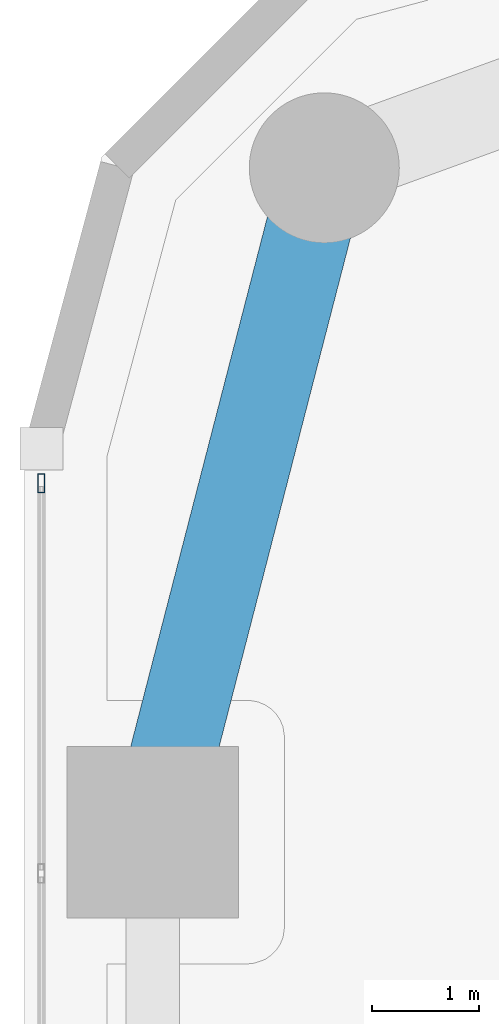
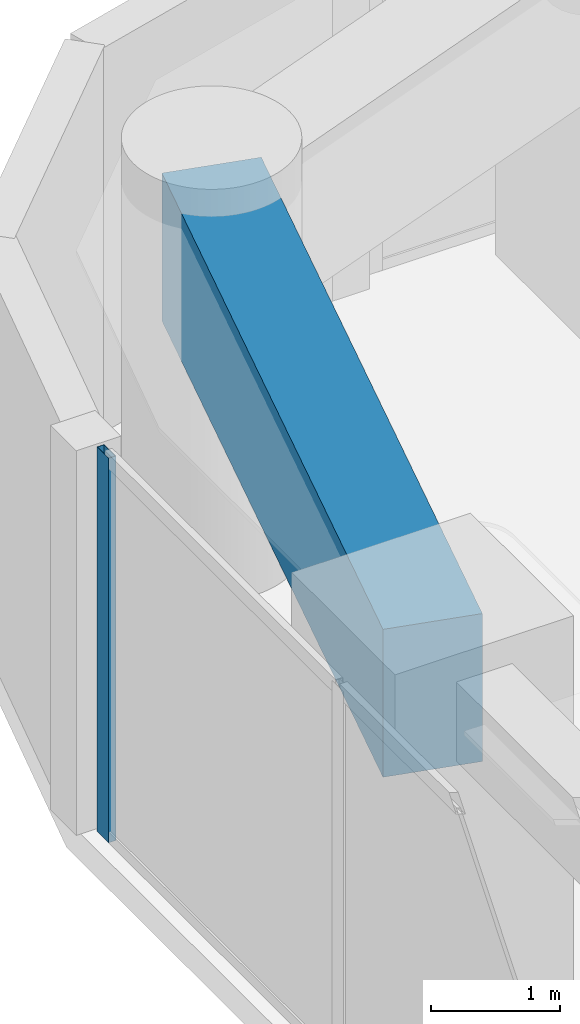
# One storey, part 14 of 28: 1 beam, 1 member, 1 element without a shape of its own.
"""IFC4 building model written with IfcOpenShell, lengths in metres."""

from ifc_helpers import new_model, si_unit, direction, frame, origin, origin_2d, place, context, subcontext, project, spatial, rectangle, hollow_rectangle, extrude, material, layer, layer_set, material_profile, profile_set, type_object, element, aggregate, save


model = new_model("IFC4")

# Units and contexts
model_context = context("Model", 3, precision=1e-05, world=origin(), true_north=direction((0.0, 1.0)))
body_context = subcontext(model_context, "Body", "Model", "MODEL_VIEW")
ifc_project = project(units=[si_unit("LENGTHUNIT", "METRE"), si_unit("AREAUNIT", "SQUARE_METRE"), si_unit("VOLUMEUNIT", "CUBIC_METRE"), si_unit("PLANEANGLEUNIT", "RADIAN"), si_unit("MASSUNIT", "GRAM", prefix="KILO")], contexts=[model_context])

# Site, building, storey
site_placement = place(None, origin())
site = spatial("IfcSite", under=ifc_project, at=site_placement, CompositionType="ELEMENT")
building_placement = place(site_placement, origin())
building = spatial("IfcBuilding", under=site, at=building_placement, Name="Kiyonajd Concourse Tower", CompositionType="ELEMENT")
storey_placement = place(building_placement, frame((0.0, 0.0, 64.5)))
storey = spatial("IfcBuildingStorey", under=building, at=storey_placement, Name="L17", CompositionType="ELEMENT", Elevation=64.5)

# Beam
ifc_material_1 = material(Name="Concrete C60/75", Category="concrete")
ifc_material_profile_1 = material_profile(ifc_material_1, rectangle(XDim=0.800048828125, YDim=1.39990234375, at=origin_2d()), Name="RCBM-800x1400")
ifc_profile_set_1 = profile_set([ifc_material_profile_1], Name="Concrete C60/75")
beam_type = type_object("IfcBeamType", Name="BM-XFER-RC", PredefinedType="BEAM", material=ifc_profile_set_1)
beam_placement = place(storey_placement, frame((20.800048828125, 59.60009765625, 2.93994140625), z_axis=(-0.249884937687, -0.968275538221, 0.0), x_axis=(0.968275538221, -0.249884937687, 0.0)))
element("IfcBeam", 1, at=beam_placement, inside=storey, type_object=beam_type, Name="L17 Perimeter Bundled Tube Spandrel", PredefinedType="BEAM", context=body_context, shape_type="SweptSolid", body=[
    extrude(rectangle(XDim=0.800048828125, YDim=1.39990234375, at=origin_2d()), origin(), (0.0, 0.0, 1.0), 6.4033203125),
])

# Curtain wall, member
ifc_material_2 = material(Name="Thermally Broken Anodised Aluminium", Category="aluminium")
ifc_layer = layer(ifc_material_2, 0.179931640625)
ifc_layer_set = layer_set([ifc_layer], Name="Thermally Broken Anodised Aluminium")
curtain_wall_type = type_object("IfcCurtainWallType", Name="CW-SYS-02", PredefinedType="NOTDEFINED", material=ifc_layer_set)
curtain_wall_placement = place(storey_placement, origin())
curtain_wall = element("IfcCurtainWall", 2, at=curtain_wall_placement, inside=storey, type_object=curtain_wall_type, Name="L17 Unitised Curtain Wall CW2", PredefinedType="NOTDEFINED")
ifc_material_profile_2 = material_profile(ifc_material_2, hollow_rectangle(XDim=0.06494140625, YDim=0.179931640625, WallThickness=0.00390625, at=origin_2d()), Name="MULL-65x180")
ifc_profile_set_2 = profile_set([ifc_material_profile_2], Name="Thermally Broken Anodised Aluminium")
member_type = type_object("IfcMemberType", Name="MB-CW-MULL1", PredefinedType="MULLION", material=ifc_profile_set_2)
member_placement = place(storey_placement, frame((18.159912109375, 56.656494140625, 0.0), z_axis=(0.0, 0.0, 1.0), x_axis=(-1.0, 0.0, 0.0)))
member = element("IfcMember", 3, at=member_placement, type_object=member_type, Name="CW2 mullion 7", PredefinedType="MULLION", context=body_context, shape_type="SweptSolid", body=[
    extrude(hollow_rectangle(XDim=0.06494140625, YDim=0.179931640625, WallThickness=0.00390625, at=origin_2d()), origin(), (0.0, 0.0, 1.0), 3.639892578125),
])
aggregate(curtain_wall, [member])

save(model, "model.ifc")
